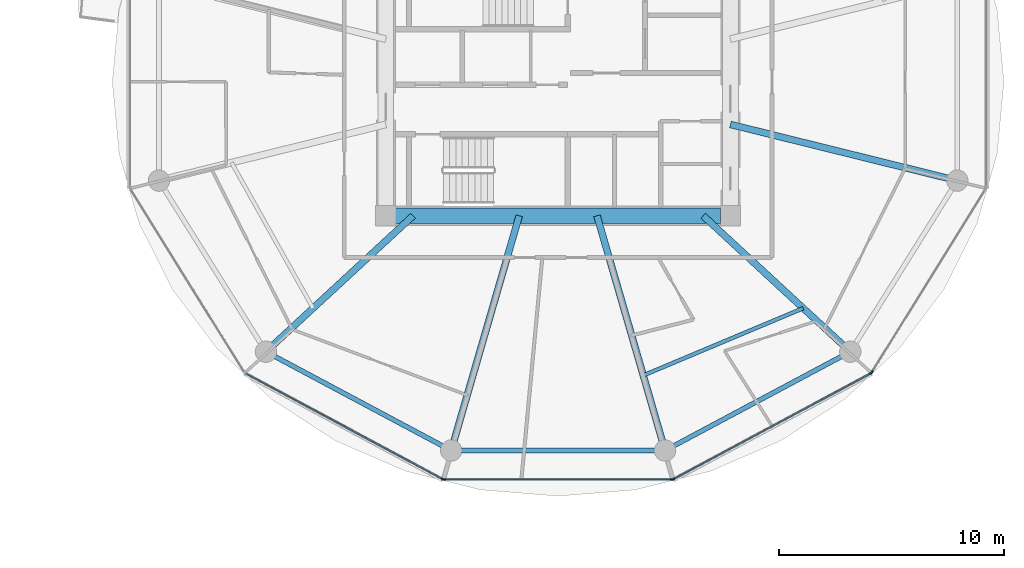
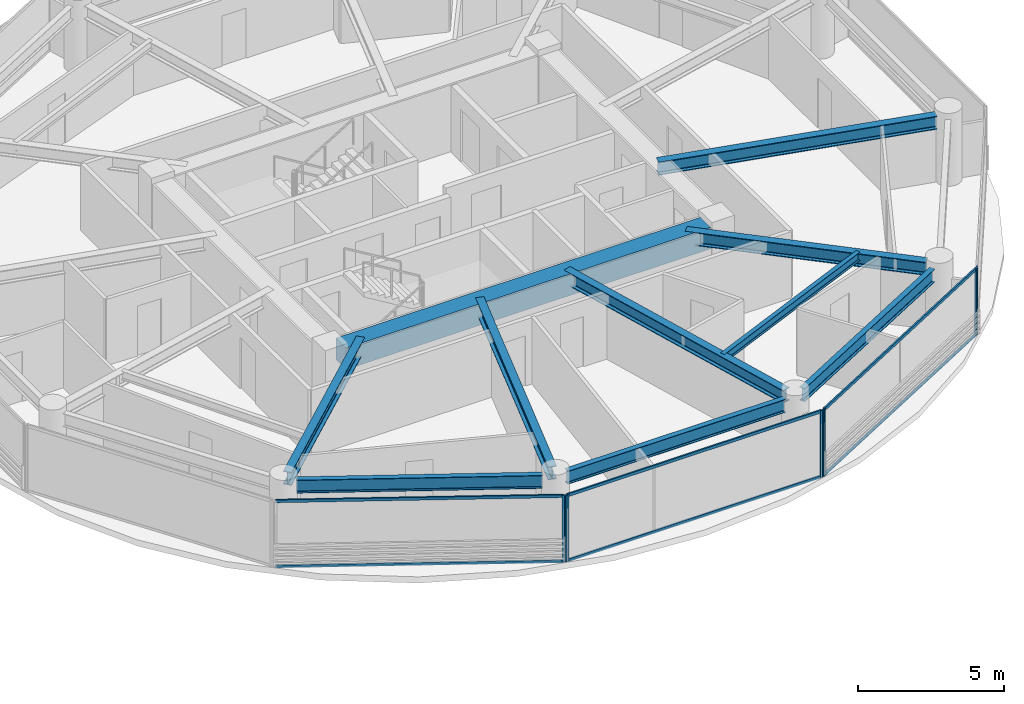
# One storey, part 10 of 27: 12 members, 10 beams, 4 elements without a shape of their own.
"""IFC4 building model written with IfcOpenShell, lengths in metres."""

from ifc_helpers import new_model, si_unit, direction, frame, origin, origin_2d, place, context, subcontext, project, spatial, rectangle, i_section, extrude, source, transform, mapped, material, layer, layer_set, material_profile, profile_set, type_object, type_shapes, element, aggregate, save


model = new_model("IFC4")

# Units and contexts
model_context = context("Model", 3, precision=1e-05, world=origin(), true_north=direction((0.0, 1.0)))
body_context = subcontext(model_context, "Body", "Model", "MODEL_VIEW")
ifc_project = project(units=[si_unit("LENGTHUNIT", "METRE"), si_unit("AREAUNIT", "SQUARE_METRE"), si_unit("VOLUMEUNIT", "CUBIC_METRE"), si_unit("PLANEANGLEUNIT", "RADIAN"), si_unit("MASSUNIT", "GRAM", prefix="KILO")], contexts=[model_context])

# Site, building, storey
site_placement = place(None, origin())
site = spatial("IfcSite", under=ifc_project, at=site_placement, CompositionType="ELEMENT")
building_placement = place(site_placement, origin())
building = spatial("IfcBuilding", under=site, at=building_placement, Name="Norrkilde Senior Care Towers", CompositionType="ELEMENT")
storey_placement = place(building_placement, frame((0.0, 0.0, 58.199951171875)))
storey = spatial("IfcBuildingStorey", under=building, at=storey_placement, Name="L17", CompositionType="ELEMENT", Elevation=58.199951171875)

# Beams
ifc_material_1 = material(Name="Concrete C60/75", Category="concrete")
ifc_material_profile_1 = material_profile(ifc_material_1, rectangle(XDim=0.699951171875, YDim=0.89990234375, at=origin_2d()), Name="RC BM 700x900")
ifc_profile_set_1 = profile_set([ifc_material_profile_1], Name="Concrete C60/75")
beam_type_1 = type_object("IfcBeamType", Name="Core Coupling Girder 700x900", PredefinedType="USERDEFINED", material=ifc_profile_set_1)
shared_shape_1 = source(origin(), body_context, "Body", "SweptSolid", [
    extrude(rectangle(XDim=0.699951171875, YDim=0.89990234375, at=origin_2d()), origin(), (0.0, 0.0, 1.0), 14.43994140625),
])
type_shapes(beam_type_1, [shared_shape_1])
beam_1_placement = place(storey_placement, frame((20.780029296875, -5.949951171875, 2.340087890625), z_axis=(1.0, 0.0, 0.0), x_axis=(0.0, 1.0, 0.0)))
element("IfcBeam", 1, at=beam_1_placement, inside=storey, type_object=beam_type_1, Name="L17 Core E S Coupling Girder", ObjectType="GIRDER", PredefinedType="USERDEFINED", context=body_context, shape_type="MappedRepresentation", body=[
    mapped(shared_shape_1, transform((0.0, 0.0, 0.0), x_axis=(1.0, 0.0, 0.0), y_axis=(0.0, 1.0, 0.0), z_axis=(0.0, 0.0, 1.0), scale=1.0)),
])
ifc_material_2 = material(Name="Steel S355", Category="steel")
ifc_material_profile_2 = material_profile(ifc_material_2, i_section(OverallWidth=0.300048828125, OverallDepth=0.550048828125, WebThickness=0.014892578125, FlangeThickness=0.029052734375, FilletRadius=0.027099609375, at=origin_2d()), Name="HEB 550")
ifc_profile_set_2 = profile_set([ifc_material_profile_2], Name="Steel S355")
beam_type_2 = type_object("IfcBeamType", Name="Radial Floor Beam Z1 HEB550", PredefinedType="BEAM", material=ifc_profile_set_2)
shared_shape_2 = source(origin(), body_context, "Body", "SweptSolid", [
    extrude(i_section(OverallWidth=0.300048828125, OverallDepth=0.550048828125, WebThickness=0.014892578125, FlangeThickness=0.029052734375, FilletRadius=0.027099609375, at=origin_2d()), origin(), (0.0, 0.0, 1.0), 9.94384765625),
])
beam_2_placement = place(storey_placement, frame((35.64990234375, -1.893310546875, 2.51513671875), z_axis=(0.970707425182, -0.240264634718, 0.0), x_axis=(0.240264634718, 0.970707425182, 0.0)))
element("IfcBeam", 2, at=beam_2_placement, inside=storey, type_object=beam_type_2, Name="L17 Drum E Radial Floor Beam 12", PredefinedType="BEAM", context=body_context, shape_type="MappedRepresentation", body=[
    mapped(shared_shape_2, transform((0.0, 0.0, 0.0), x_axis=(1.0, 0.0, 0.0), y_axis=(0.0, 1.0, 0.0), z_axis=(0.0, 0.0, 1.0), scale=1.0)),
])
ifc_material_profile_3 = material_profile(ifc_material_2, i_section(OverallWidth=0.2099609375, OverallDepth=0.550048828125, WebThickness=0.010986328125, FlangeThickness=0.01708984375, FilletRadius=0.02392578125, at=origin_2d()), Name="IPE 550")
ifc_profile_set_3 = profile_set([ifc_material_profile_3], Name="Steel S355")
beam_type_3 = type_object("IfcBeamType", Name="Perimeter Ring Spandrel Z1 IPE550", PredefinedType="SPANDREL", material=ifc_profile_set_3)
shared_shape_3 = source(origin(), body_context, "Body", "SweptSolid", [
    extrude(i_section(OverallWidth=0.2099609375, OverallDepth=0.550048828125, WebThickness=0.010986328125, FlangeThickness=0.01708984375, FilletRadius=0.02392578125, at=origin_2d()), origin(), (0.0, 0.0, 1.0), 8.452880859375),
])
for number, where, z_axis, x_axis, name in (
    (3, (15.408447265625, -12.190185546875, 2.51513671875), (0.882368931134, -0.470558252898, 0.0), (0.470558252898, 0.882368931134, 0.0), "L17 Drum E Perimeter Spandrel 08"),
    (4, (33.133056640625, -16.167724609375, 2.51513671875), (0.882368931134, 0.470558252898, 0.0), (-0.470558252898, 0.882368931134, 0.0), "L17 Drum E Perimeter Spandrel 10"),
):
    element("IfcBeam", number, at=place(storey_placement, frame(where, z_axis=z_axis, x_axis=x_axis)), inside=storey, type_object=beam_type_3, Name=name, PredefinedType="SPANDREL", context=body_context, shape_type="MappedRepresentation", body=[
        mapped(shared_shape_3, transform((0.0, 0.0, 0.0), x_axis=(1.0, 0.0, 0.0), y_axis=(0.0, 1.0, 0.0), z_axis=(0.0, 0.0, 1.0), scale=1.0)),
    ])
shared_shape_4 = source(origin(), body_context, "Body", "SweptSolid", [
    extrude(i_section(OverallWidth=0.300048828125, OverallDepth=0.550048828125, WebThickness=0.014892578125, FlangeThickness=0.029052734375, FilletRadius=0.027099609375, at=origin_2d()), origin(), (0.0, 0.0, 1.0), 8.459716796875),
])
for number, where, z_axis, x_axis, name in (
    (5, (21.55859375, -5.949951171875, 2.51513671875), (-0.734573269108, -0.678529374686, 0.0), (0.678529374686, -0.734573269108, 0.0), "L17 Drum E Radial Floor Beam 08"),
    (6, (34.44140625, -5.949951171875, 2.51513671875), (0.734573269108, -0.678529374686, 0.0), (0.678529374686, 0.734573269108, 0.0), "L17 Drum E Radial Floor Beam 11"),
):
    element("IfcBeam", number, at=place(storey_placement, frame(where, z_axis=z_axis, x_axis=x_axis)), inside=storey, type_object=beam_type_2, Name=name, PredefinedType="BEAM", context=body_context, shape_type="MappedRepresentation", body=[
        mapped(shared_shape_4, transform((0.0, 0.0, 0.0), x_axis=(1.0, 0.0, 0.0), y_axis=(0.0, 1.0, 0.0), z_axis=(0.0, 0.0, 1.0), scale=1.0)),
    ])
shared_shape_5 = source(origin(), body_context, "Body", "SweptSolid", [
    extrude(i_section(OverallWidth=0.2099609375, OverallDepth=0.550048828125, WebThickness=0.010986328125, FlangeThickness=0.01708984375, FilletRadius=0.02392578125, at=origin_2d()), origin(), (0.0, 0.0, 1.0), 8.62841796875),
])
type_shapes(beam_type_3, [shared_shape_3, shared_shape_5])
beam_3_placement = place(storey_placement, frame((23.685791015625, -16.37255859375, 2.51513671875), z_axis=(1.0, 0.0, 0.0), x_axis=(0.0, 1.0, 0.0)))
element("IfcBeam", 7, at=beam_3_placement, inside=storey, type_object=beam_type_3, Name="L17 Drum E Perimeter Spandrel 09", PredefinedType="SPANDREL", context=body_context, shape_type="MappedRepresentation", body=[
    mapped(shared_shape_5, transform((0.0, 0.0, 0.0), x_axis=(1.0, 0.0, 0.0), y_axis=(0.0, 1.0, 0.0), z_axis=(0.0, 0.0, 1.0), scale=1.0)),
])
shared_shape_6 = source(origin(), body_context, "Body", "SweptSolid", [
    extrude(i_section(OverallWidth=0.300048828125, OverallDepth=0.550048828125, WebThickness=0.014892578125, FlangeThickness=0.029052734375, FilletRadius=0.027099609375, at=origin_2d()), origin(), (0.0, 0.0, 1.0), 10.4169921875),
])
type_shapes(beam_type_2, [shared_shape_2, shared_shape_4, shared_shape_6])
for number, where, z_axis, x_axis, name in (
    (8, (26.27392578125, -5.949951171875, 2.51513671875), (-0.278591250785, -0.960409764104, 0.0), (0.960409764104, -0.278591250785, 0.0), "L17 Drum E Radial Floor Beam 09"),
    (9, (29.72607421875, -5.949951171875, 2.51513671875), (0.278591250785, -0.960409764104, 0.0), (0.960409764104, 0.278591250785, 0.0), "L17 Drum E Radial Floor Beam 10"),
):
    element("IfcBeam", number, at=place(storey_placement, frame(where, z_axis=z_axis, x_axis=x_axis)), inside=storey, type_object=beam_type_2, Name=name, PredefinedType="BEAM", context=body_context, shape_type="MappedRepresentation", body=[
        mapped(shared_shape_6, transform((0.0, 0.0, 0.0), x_axis=(1.0, 0.0, 0.0), y_axis=(0.0, 1.0, 0.0), z_axis=(0.0, 0.0, 1.0), scale=1.0)),
    ])
ifc_material_profile_4 = material_profile(ifc_material_2, i_section(OverallWidth=0.169921875, OverallDepth=0.360107421875, WebThickness=0.008056640625, FlangeThickness=0.0126953125, FilletRadius=0.01806640625, at=origin_2d()), Name="IPE 360")
ifc_profile_set_4 = profile_set([ifc_material_profile_4], Name="Steel S355")
beam_type_4 = type_object("IfcBeamType", Name="Secondary Floor Joist IPE360", PredefinedType="JOIST", material=ifc_profile_set_4)
shared_shape_7 = source(origin(), body_context, "Body", "SweptSolid", [
    extrude(i_section(OverallWidth=0.169921875, OverallDepth=0.360107421875, WebThickness=0.008056640625, FlangeThickness=0.0126953125, FilletRadius=0.01806640625, at=origin_2d()), origin(), (0.0, 0.0, 1.0), 7.703857421875),
])
type_shapes(beam_type_4, [shared_shape_7])
beam_4_placement = place(storey_placement, frame((31.78173828125, -13.037353515625, 2.610107421875), z_axis=(0.921982784465, 0.387230868023, 0.0), x_axis=(-0.387230868023, 0.921982784465, 0.0)))
element("IfcBeam", 10, at=beam_4_placement, inside=storey, type_object=beam_type_4, Name="L17 Drum E Secondary Floor Joist 4", PredefinedType="JOIST", context=body_context, shape_type="MappedRepresentation", body=[
    mapped(shared_shape_7, transform((0.0, 0.0, 0.0), x_axis=(1.0, 0.0, 0.0), y_axis=(0.0, 1.0, 0.0), z_axis=(0.0, 0.0, 1.0), scale=1.0)),
])

# Curtain wall, member
ifc_material_3 = material(Name="Triple Low-E Insulated Glazing", Category="glass")
ifc_layer = layer(ifc_material_3, 0.199951171875)
ifc_layer_set = layer_set([ifc_layer], Name="Triple Low-E Insulated Glazing")
curtain_wall_type = type_object("IfcCurtainWallType", Name="CW2 Zone 1 Memory Care Curtain Wall", PredefinedType="NOTDEFINED", material=ifc_layer_set)
curtain_wall_1_placement = place(storey_placement, origin())
curtain_wall_1 = element("IfcCurtainWall", 11, at=curtain_wall_1_placement, inside=storey, type_object=curtain_wall_type, Name="L17 Drum E Curtain Wall 07", PredefinedType="NOTDEFINED")
ifc_material_4 = material(Name="Anodised Aluminium", Category="aluminium")
ifc_material_profile_5 = material_profile(ifc_material_4, rectangle(XDim=0.06494140625, YDim=0.159912109375, at=origin_2d()), Name="ALU MULL 65x160")
ifc_profile_set_5 = profile_set([ifc_material_profile_5], Name="Anodised Aluminium")
member_type_1 = type_object("IfcMemberType", Name="Curtain Wall Mullion Z1-Z2 65x160", PredefinedType="MULLION", material=ifc_profile_set_5)
shared_shape_8 = source(origin(), body_context, "Body", "SweptSolid", [
    extrude(rectangle(XDim=0.06494140625, YDim=0.159912109375, at=origin_2d()), origin(), (0.0, 0.0, 1.0), 2.7900390625),
])
type_shapes(member_type_1, [shared_shape_8])
member_1_placement = place(storey_placement, frame((22.877685546875, -17.641845703125, 0.0), z_axis=(0.0, 0.0, 1.0), x_axis=(-0.472607802456, -0.881272866403, 0.0)))
member_1 = element("IfcMember", 12, at=member_1_placement, type_object=member_type_1, Name="CW-2 mullion 1", PredefinedType="MULLION", context=body_context, shape_type="MappedRepresentation", body=[
    mapped(shared_shape_8, transform((0.0, 0.0, 0.0), x_axis=(1.0, 0.0, 0.0), y_axis=(0.0, 1.0, 0.0), z_axis=(0.0, 0.0, 1.0), scale=1.0)),
])

# Curtain wall, members
curtain_wall_2_placement = place(storey_placement, origin())
curtain_wall_2 = element("IfcCurtainWall", 13, at=curtain_wall_2_placement, inside=storey, type_object=curtain_wall_type, Name="L17 Drum E Curtain Wall 08", PredefinedType="NOTDEFINED")
member_2_placement = place(storey_placement, frame((33.06103515625, -17.6572265625, 0.0), z_axis=(0.0, 0.0, 1.0), x_axis=(0.0, -1.0, 0.0)))
member_2 = element("IfcMember", 14, at=member_2_placement, type_object=member_type_1, Name="CW-2 mullion 1", PredefinedType="MULLION", context=body_context, shape_type="MappedRepresentation", body=[
    mapped(shared_shape_8, transform((0.0, 0.0, 0.0), x_axis=(1.0, 0.0, 0.0), y_axis=(0.0, 1.0, 0.0), z_axis=(0.0, 0.0, 1.0), scale=1.0)),
])
member_3_placement = place(storey_placement, frame((22.93896484375, -17.6572265625, 0.0), z_axis=(0.0, 0.0, 1.0), x_axis=(0.0, -1.0, 0.0)))
member_3 = element("IfcMember", 15, at=member_3_placement, type_object=member_type_1, Name="CW-2 mullion 2", PredefinedType="MULLION", context=body_context, shape_type="MappedRepresentation", body=[
    mapped(shared_shape_8, transform((0.0, 0.0, 0.0), x_axis=(1.0, 0.0, 0.0), y_axis=(0.0, 1.0, 0.0), z_axis=(0.0, 0.0, 1.0), scale=1.0)),
])

curtain_wall_3_placement = place(storey_placement, origin())
curtain_wall_3 = element("IfcCurtainWall", 16, at=curtain_wall_3_placement, inside=storey, type_object=curtain_wall_type, Name="L17 Drum E Curtain Wall 09", PredefinedType="NOTDEFINED")
member_4_placement = place(storey_placement, frame((41.88720703125, -12.941162109375, 0.0), z_axis=(0.0, 0.0, 1.0), x_axis=(0.472607802456, -0.881272866403, 0.0)))
member_4 = element("IfcMember", 17, at=member_4_placement, type_object=member_type_1, Name="CW-2 mullion 1", PredefinedType="MULLION", context=body_context, shape_type="MappedRepresentation", body=[
    mapped(shared_shape_8, transform((0.0, 0.0, 0.0), x_axis=(1.0, 0.0, 0.0), y_axis=(0.0, 1.0, 0.0), z_axis=(0.0, 0.0, 1.0), scale=1.0)),
])
member_5_placement = place(storey_placement, frame((33.122314453125, -17.641845703125, 0.0), z_axis=(0.0, 0.0, 1.0), x_axis=(0.472607802456, -0.881272866403, 0.0)))
member_5 = element("IfcMember", 18, at=member_5_placement, type_object=member_type_1, Name="CW-2 mullion 2", PredefinedType="MULLION", context=body_context, shape_type="MappedRepresentation", body=[
    mapped(shared_shape_8, transform((0.0, 0.0, 0.0), x_axis=(1.0, 0.0, 0.0), y_axis=(0.0, 1.0, 0.0), z_axis=(0.0, 0.0, 1.0), scale=1.0)),
])

# Curtain wall, member
curtain_wall_4_placement = place(storey_placement, origin())
curtain_wall_4 = element("IfcCurtainWall", 19, at=curtain_wall_4_placement, inside=storey, type_object=curtain_wall_type, Name="L17 Drum E Curtain Wall 10", PredefinedType="NOTDEFINED")
member_6_placement = place(storey_placement, frame((41.93310546875, -12.898193359375, 0.0), z_axis=(0.0, 0.0, 1.0), x_axis=(0.849305943117, -0.527900951871, 0.0)))
member_6 = element("IfcMember", 20, at=member_6_placement, type_object=member_type_1, Name="CW-2 mullion 2", PredefinedType="MULLION", context=body_context, shape_type="MappedRepresentation", body=[
    mapped(shared_shape_8, transform((0.0, 0.0, 0.0), x_axis=(1.0, 0.0, 0.0), y_axis=(0.0, 1.0, 0.0), z_axis=(0.0, 0.0, 1.0), scale=1.0)),
])
aggregate(curtain_wall_4, [member_6])

# Member
ifc_material_profile_6 = material_profile(ifc_material_4, rectangle(XDim=0.06005859375, YDim=0.1201171875, at=origin_2d()), Name="ALU TRAN 60x120")
ifc_profile_set_6 = profile_set([ifc_material_profile_6], Name="Anodised Aluminium")
member_type_2 = type_object("IfcMemberType", Name="Curtain Wall Transom Typical 60x120", PredefinedType="USERDEFINED", material=ifc_profile_set_6)
shared_shape_9 = source(origin(), body_context, "Body", "SweptSolid", [
    extrude(rectangle(XDim=0.06005859375, YDim=0.1201171875, at=origin_2d()), origin(), (0.0, 0.0, 1.0), 9.880859375),
])
member_7_placement = place(storey_placement, frame((22.84912109375, -17.62646484375, 0.030029296875), z_axis=(-0.881267204043, 0.47261836092, 0.0), x_axis=(-0.47261836092, -0.881267204043, 0.0)))
member_7 = element("IfcMember", 21, at=member_7_placement, type_object=member_type_2, Name="CW-2 transom 1.1", ObjectType="TRANSOM", PredefinedType="USERDEFINED", context=body_context, shape_type="MappedRepresentation", body=[
    mapped(shared_shape_9, transform((0.0, 0.0, 0.0), x_axis=(1.0, 0.0, 0.0), y_axis=(0.0, 1.0, 0.0), z_axis=(0.0, 0.0, 1.0), scale=1.0)),
])

member_8_placement = place(storey_placement, frame((22.84912109375, -17.62646484375, 2.760009765625), z_axis=(-0.881267204043, 0.47261836092, 0.0), x_axis=(-0.47261836092, -0.881267204043, 0.0)))
member_8 = element("IfcMember", 22, at=member_8_placement, type_object=member_type_2, Name="CW-2 transom 1.2", ObjectType="TRANSOM", PredefinedType="USERDEFINED", context=body_context, shape_type="MappedRepresentation", body=[
    mapped(shared_shape_9, transform((0.0, 0.0, 0.0), x_axis=(1.0, 0.0, 0.0), y_axis=(0.0, 1.0, 0.0), z_axis=(0.0, 0.0, 1.0), scale=1.0)),
])

aggregate(curtain_wall_1, [member_1, member_7, member_8])

member_9_placement = place(storey_placement, frame((41.858642578125, -12.95654296875, 0.030029296875), z_axis=(-0.881267204043, -0.47261836092, 0.0), x_axis=(0.47261836092, -0.881267204043, 0.0)))
member_9 = element("IfcMember", 23, at=member_9_placement, type_object=member_type_2, Name="CW-2 transom 1.1", ObjectType="TRANSOM", PredefinedType="USERDEFINED", context=body_context, shape_type="MappedRepresentation", body=[
    mapped(shared_shape_9, transform((0.0, 0.0, 0.0), x_axis=(1.0, 0.0, 0.0), y_axis=(0.0, 1.0, 0.0), z_axis=(0.0, 0.0, 1.0), scale=1.0)),
])

member_10_placement = place(storey_placement, frame((41.858642578125, -12.95654296875, 2.760009765625), z_axis=(-0.881267204043, -0.47261836092, 0.0), x_axis=(0.47261836092, -0.881267204043, 0.0)))
member_10 = element("IfcMember", 24, at=member_10_placement, type_object=member_type_2, Name="CW-2 transom 1.2", ObjectType="TRANSOM", PredefinedType="USERDEFINED", context=body_context, shape_type="MappedRepresentation", body=[
    mapped(shared_shape_9, transform((0.0, 0.0, 0.0), x_axis=(1.0, 0.0, 0.0), y_axis=(0.0, 1.0, 0.0), z_axis=(0.0, 0.0, 1.0), scale=1.0)),
])

aggregate(curtain_wall_3, [member_4, member_5, member_9, member_10])

shared_shape_10 = source(origin(), body_context, "Body", "SweptSolid", [
    extrude(rectangle(XDim=0.06005859375, YDim=0.1201171875, at=origin_2d()), origin(), (0.0, 0.0, 1.0), 10.05712890625),
])
type_shapes(member_type_2, [shared_shape_9, shared_shape_10])
member_11_placement = place(storey_placement, frame((33.028564453125, -17.6572265625, 0.030029296875), z_axis=(-1.0, 0.0, 0.0), x_axis=(0.0, -1.0, 0.0)))
member_11 = element("IfcMember", 25, at=member_11_placement, type_object=member_type_2, Name="CW-2 transom 1.1", ObjectType="TRANSOM", PredefinedType="USERDEFINED", context=body_context, shape_type="MappedRepresentation", body=[
    mapped(shared_shape_10, transform((0.0, 0.0, 0.0), x_axis=(1.0, 0.0, 0.0), y_axis=(0.0, 1.0, 0.0), z_axis=(0.0, 0.0, 1.0), scale=1.0)),
])

member_12_placement = place(storey_placement, frame((33.028564453125, -17.6572265625, 2.760009765625), z_axis=(-1.0, 0.0, 0.0), x_axis=(0.0, -1.0, 0.0)))
member_12 = element("IfcMember", 26, at=member_12_placement, type_object=member_type_2, Name="CW-2 transom 1.2", ObjectType="TRANSOM", PredefinedType="USERDEFINED", context=body_context, shape_type="MappedRepresentation", body=[
    mapped(shared_shape_10, transform((0.0, 0.0, 0.0), x_axis=(1.0, 0.0, 0.0), y_axis=(0.0, 1.0, 0.0), z_axis=(0.0, 0.0, 1.0), scale=1.0)),
])

aggregate(curtain_wall_2, [member_2, member_3, member_11, member_12])

save(model, "model.ifc")
